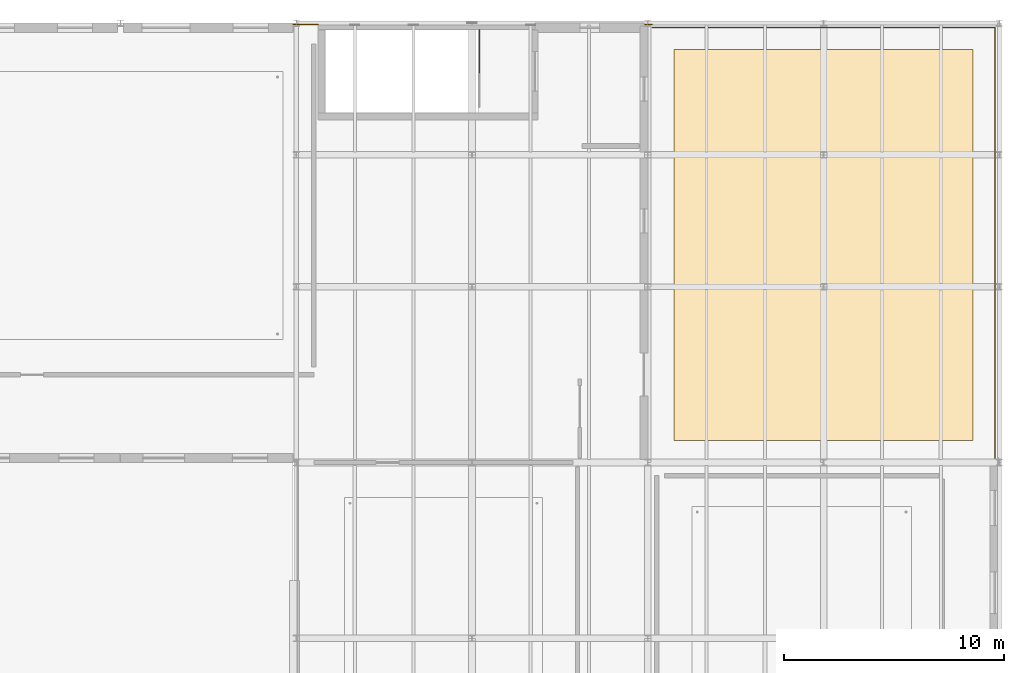
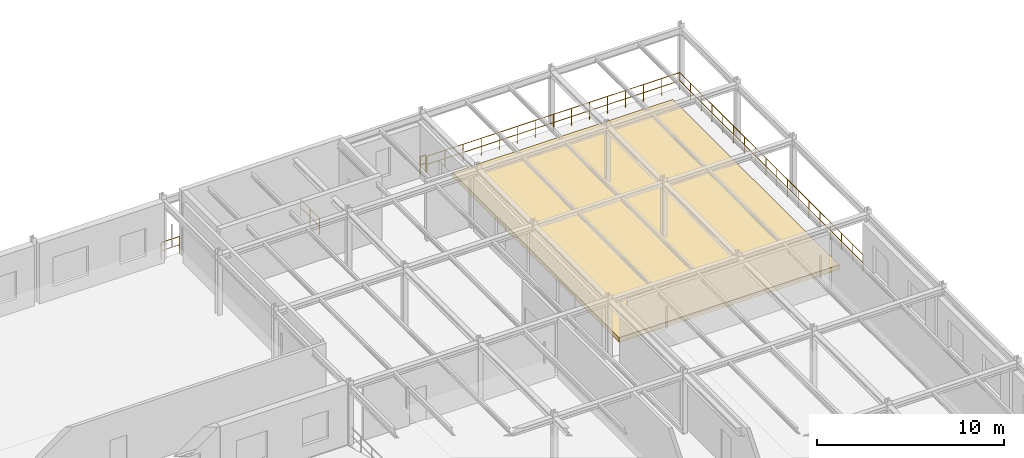
# One storey, part 124 of 124: 4 railings, 1 covering.
"""IFC4 building model written with IfcOpenShell, lengths in metres."""

from ifc_helpers import new_model, si_unit, direction, frame, origin, origin_2d, place, context, subcontext, project, spatial, polyline, circle, outline, extrude, material, layer, layer_set, type_object, element, save


model = new_model("IFC4")

# Units and contexts
model_context = context("Model", 3, precision=1e-05, world=origin(), true_north=direction((0.0, 1.0)))
body_context = subcontext(model_context, "Body", "Model", "MODEL_VIEW")
ifc_project = project(units=[si_unit("LENGTHUNIT", "METRE"), si_unit("AREAUNIT", "SQUARE_METRE"), si_unit("VOLUMEUNIT", "CUBIC_METRE"), si_unit("PLANEANGLEUNIT", "RADIAN"), si_unit("MASSUNIT", "GRAM", prefix="KILO")], contexts=[model_context])

# Site, building, storey
site_placement = place(None, origin())
site = spatial("IfcSite", under=ifc_project, at=site_placement, CompositionType="ELEMENT")
building_placement = place(site_placement, origin())
building = spatial("IfcBuilding", under=site, at=building_placement, Name="Sundkrona Museum", CompositionType="ELEMENT")
storey_placement = place(building_placement, frame((0.0, 0.0, 17.60009765625)))
storey = spatial("IfcBuildingStorey", under=building, at=storey_placement, Name="L03", CompositionType="ELEMENT", Elevation=17.60009765625)

# Covering
ifc_material_1 = material(Name="Extensive Sedum Planting Substrate and Root-Barrier Membrane", Category="other")
ifc_layer = layer(ifc_material_1, 0.300048828125)
ifc_layer_set = layer_set([ifc_layer], Name="Extensive Sedum Planting Substrate and Root-Barrier Membrane")
covering_type = type_object("IfcCoveringType", Name="COV-RF-GRN", PredefinedType="ROOFING", material=ifc_layer_set)
covering_placement = place(storey_placement, origin())
element("IfcCovering", 1, at=covering_placement, inside=storey, type_object=covering_type, Name="L03 Sedum Stormwater Roof Garden Build-Up (COV-GRN-L03-TER)", PredefinedType="ROOFING", context=body_context, shape_type="SweptSolid", body=[
    extrude(outline(polyline([(153.199951171875, 95.0), (166.800048828125, 95.0), (166.800048828125, 112.800048828125), (153.199951171875, 112.800048828125), (153.199951171875, 95.0)])), origin(), (0.0, 0.0, 1.0), 0.2998046875),
])

# Railings
ifc_material_2 = material(Name="Painted Steel S355J2 and Laminated Glass Balustrade", Category="steel")
railing_type = type_object("IfcRailingType", Name="RL-GUARD-1100", PredefinedType="BALUSTRADE", material=ifc_material_2)
railing_1_placement = place(storey_placement, frame((152.199951171875, 113.800048828125, 0.0)))
element("IfcRailing", 2, at=railing_1_placement, inside=storey, type_object=railing_type, Name="L03 East Roof Garden Terrace Perimeter Guard", PredefinedType="BALUSTRADE", context=body_context, shape_type="SweptSolid", body=[
    extrude(circle(Radius=0.02392578125, at=origin_2d()), frame((0.0, 0.0, 1.09619140625), z_axis=(1.0, 0.0, 0.0), x_axis=(0.0, 1.0, 0.0)), (0.0, 0.0, 1.0), 15.60009765625),
    extrude(circle(Radius=0.02392578125, at=origin_2d()), frame((0.0, 0.0, 0.56005859375), z_axis=(1.0, 0.0, 0.0), x_axis=(0.0, 1.0, 0.0)), (0.0, 0.0, 1.0), 15.60009765625),
    extrude(circle(Radius=0.02392578125, at=origin_2d()), frame((15.60009765625, 0.0, 1.09619140625), z_axis=(0.0, -1.0, 0.0), x_axis=(1.0, 0.0, 0.0)), (0.0, 0.0, 1.0), 19.60009765625),
    extrude(circle(Radius=0.02392578125, at=origin_2d()), frame((15.60009765625, 0.0, 0.56005859375), z_axis=(0.0, -1.0, 0.0), x_axis=(1.0, 0.0, 0.0)), (0.0, 0.0, 1.0), 19.60009765625),
    extrude(circle(Radius=0.02099609375, at=origin_2d()), origin(), (0.0, 0.0, 1.0), 1.072021484375),
    extrude(circle(Radius=0.02099609375, at=origin_2d()), frame((1.1142578125, 0.0, 0.0)), (0.0, 0.0, 1.0), 1.072021484375),
    extrude(circle(Radius=0.02099609375, at=origin_2d()), frame((2.228515625, 0.0, 0.0)), (0.0, 0.0, 1.0), 1.072021484375),
    extrude(circle(Radius=0.02099609375, at=origin_2d()), frame((3.3427734375, 0.0, 0.0)), (0.0, 0.0, 1.0), 1.072021484375),
    extrude(circle(Radius=0.02099609375, at=origin_2d()), frame((4.457275390625, 0.0, 0.0)), (0.0, 0.0, 1.0), 1.072021484375),
    extrude(circle(Radius=0.02099609375, at=origin_2d()), frame((5.571533203125, 0.0, 0.0)), (0.0, 0.0, 1.0), 1.072021484375),
    extrude(circle(Radius=0.02099609375, at=origin_2d()), frame((6.685791015625, 0.0, 0.0)), (0.0, 0.0, 1.0), 1.072021484375),
    extrude(circle(Radius=0.02099609375, at=origin_2d()), frame((7.800048828125, 0.0, 0.0)), (0.0, 0.0, 1.0), 1.072021484375),
    extrude(circle(Radius=0.02099609375, at=origin_2d()), frame((8.914306640625, 0.0, 0.0)), (0.0, 0.0, 1.0), 1.072021484375),
    extrude(circle(Radius=0.02099609375, at=origin_2d()), frame((10.028564453125, 0.0, 0.0)), (0.0, 0.0, 1.0), 1.072021484375),
    extrude(circle(Radius=0.02099609375, at=origin_2d()), frame((11.142822265625, 0.0, 0.0)), (0.0, 0.0, 1.0), 1.072021484375),
    extrude(circle(Radius=0.02099609375, at=origin_2d()), frame((12.25732421875, 0.0, 0.0)), (0.0, 0.0, 1.0), 1.072021484375),
    extrude(circle(Radius=0.02099609375, at=origin_2d()), frame((13.37158203125, 0.0, 0.0)), (0.0, 0.0, 1.0), 1.072021484375),
    extrude(circle(Radius=0.02099609375, at=origin_2d()), frame((14.48583984375, 0.0, 0.0)), (0.0, 0.0, 1.0), 1.072021484375),
    extrude(circle(Radius=0.02099609375, at=origin_2d()), frame((15.60009765625, 0.0, 0.0)), (0.0, 0.0, 1.0), 1.072021484375),
    extrude(circle(Radius=0.02099609375, at=origin_2d()), frame((15.60009765625, -1.15283203125, 0.0)), (0.0, 0.0, 1.0), 1.072021484375),
    extrude(circle(Radius=0.02099609375, at=origin_2d()), frame((15.60009765625, -2.305908203125, 0.0)), (0.0, 0.0, 1.0), 1.072021484375),
    extrude(circle(Radius=0.02099609375, at=origin_2d()), frame((15.60009765625, -3.458740234375, 0.0)), (0.0, 0.0, 1.0), 1.072021484375),
    extrude(circle(Radius=0.02099609375, at=origin_2d()), frame((15.60009765625, -4.61181640625, 0.0)), (0.0, 0.0, 1.0), 1.072021484375),
    extrude(circle(Radius=0.02099609375, at=origin_2d()), frame((15.60009765625, -5.7646484375, 0.0)), (0.0, 0.0, 1.0), 1.072021484375),
    extrude(circle(Radius=0.02099609375, at=origin_2d()), frame((15.60009765625, -6.917724609375, 0.0)), (0.0, 0.0, 1.0), 1.072021484375),
    extrude(circle(Radius=0.02099609375, at=origin_2d()), frame((15.60009765625, -8.070556640625, 0.0)), (0.0, 0.0, 1.0), 1.072021484375),
    extrude(circle(Radius=0.02099609375, at=origin_2d()), frame((15.60009765625, -9.2236328125, 0.0)), (0.0, 0.0, 1.0), 1.072021484375),
    extrude(circle(Radius=0.02099609375, at=origin_2d()), frame((15.60009765625, -10.37646484375, 0.0)), (0.0, 0.0, 1.0), 1.072021484375),
    extrude(circle(Radius=0.02099609375, at=origin_2d()), frame((15.60009765625, -11.529541015625, 0.0)), (0.0, 0.0, 1.0), 1.072021484375),
    extrude(circle(Radius=0.02099609375, at=origin_2d()), frame((15.60009765625, -12.682373046875, 0.0)), (0.0, 0.0, 1.0), 1.072021484375),
    extrude(circle(Radius=0.02099609375, at=origin_2d()), frame((15.60009765625, -13.83544921875, 0.0)), (0.0, 0.0, 1.0), 1.072021484375),
    extrude(circle(Radius=0.02099609375, at=origin_2d()), frame((15.60009765625, -14.98828125, 0.0)), (0.0, 0.0, 1.0), 1.072021484375),
    extrude(circle(Radius=0.02099609375, at=origin_2d()), frame((15.60009765625, -16.141357421875, 0.0)), (0.0, 0.0, 1.0), 1.072021484375),
    extrude(circle(Radius=0.02099609375, at=origin_2d()), frame((15.60009765625, -17.294189453125, 0.0)), (0.0, 0.0, 1.0), 1.072021484375),
    extrude(circle(Radius=0.02099609375, at=origin_2d()), frame((15.60009765625, -18.447265625, 0.0)), (0.0, 0.0, 1.0), 1.072021484375),
    extrude(circle(Radius=0.02099609375, at=origin_2d()), frame((15.60009765625, -19.60009765625, 0.0)), (0.0, 0.0, 1.0), 1.072021484375),
])
railing_2_placement = place(storey_placement, frame((144.35009765625, 113.699951171875, 0.0)))
element("IfcRailing", 3, at=railing_2_placement, inside=storey, type_object=railing_type, Name="L03 ST-5 top well guard 1", PredefinedType="BALUSTRADE", context=body_context, shape_type="SweptSolid", body=[
    extrude(circle(Radius=0.02392578125, at=origin_2d()), frame((0.0, 0.0, 1.076171875), z_axis=(0.0, -1.0, 0.0), x_axis=(1.0, 0.0, 0.0)), (0.0, 0.0, 1.0), 2.0),
    extrude(circle(Radius=0.02392578125, at=origin_2d()), frame((0.0, 0.0, 0.550048828125), z_axis=(0.0, -1.0, 0.0), x_axis=(1.0, 0.0, 0.0)), (0.0, 0.0, 1.0), 2.0),
    extrude(circle(Radius=0.02099609375, at=origin_2d()), origin(), (0.0, 0.0, 1.0), 1.052001953125),
    extrude(circle(Radius=0.02099609375, at=origin_2d()), frame((0.0, -1.0, 0.0)), (0.0, 0.0, 1.0), 1.052001953125),
    extrude(circle(Radius=0.02099609375, at=origin_2d()), frame((0.0, -2.0, 0.0)), (0.0, 0.0, 1.0), 1.052001953125),
])
railing_3_placement = place(storey_placement, frame((135.85791015625, 113.93994140625, 0.0)))
element("IfcRailing", 4, at=railing_3_placement, inside=storey, type_object=railing_type, Name="L03 Edge Protection Balustrade 044", PredefinedType="BALUSTRADE", context=body_context, shape_type="SweptSolid", body=[
    extrude(circle(Radius=0.02392578125, at=origin_2d()), frame((0.0, 0.0, 1.09619140625), z_axis=(1.0, 0.0, 0.0), x_axis=(0.0, 1.0, 0.0)), (0.0, 0.0, 1.0), 1.14208984375),
    extrude(circle(Radius=0.02392578125, at=origin_2d()), frame((0.0, 0.0, 0.56005859375), z_axis=(1.0, 0.0, 0.0), x_axis=(0.0, 1.0, 0.0)), (0.0, 0.0, 1.0), 1.14208984375),
    extrude(circle(Radius=0.02099609375, at=origin_2d()), origin(), (0.0, 0.0, 1.0), 1.072021484375),
    extrude(circle(Radius=0.02099609375, at=origin_2d()), frame((1.14208984375, 0.0, 0.0)), (0.0, 0.0, 1.0), 1.072021484375),
])
railing_4_placement = place(storey_placement, frame((151.85791015625, 113.93994140625, 0.0)))
element("IfcRailing", 5, at=railing_4_placement, inside=storey, type_object=railing_type, Name="L03 Edge Protection Balustrade 052", PredefinedType="BALUSTRADE", context=body_context, shape_type="SweptSolid", body=[
    extrude(circle(Radius=0.02392578125, at=origin_2d()), frame((0.0, 0.0, 1.09619140625), z_axis=(1.0, 0.0, 0.0), x_axis=(0.0, 1.0, 0.0)), (0.0, 0.0, 1.0), 0.342041015625),
    extrude(circle(Radius=0.02392578125, at=origin_2d()), frame((0.0, 0.0, 0.56005859375), z_axis=(1.0, 0.0, 0.0), x_axis=(0.0, 1.0, 0.0)), (0.0, 0.0, 1.0), 0.342041015625),
    extrude(circle(Radius=0.02099609375, at=origin_2d()), origin(), (0.0, 0.0, 1.0), 1.072021484375),
    extrude(circle(Radius=0.02099609375, at=origin_2d()), frame((0.342041015625, 0.0, 0.0)), (0.0, 0.0, 1.0), 1.072021484375),
])

save(model, "model.ifc")
